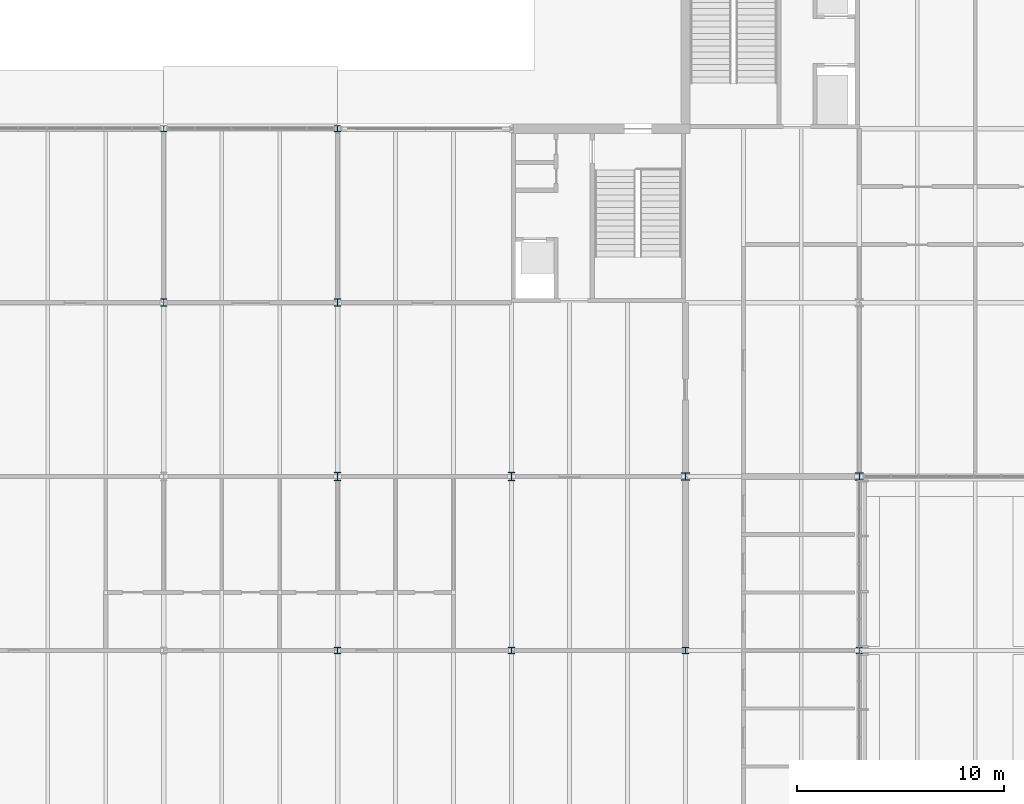
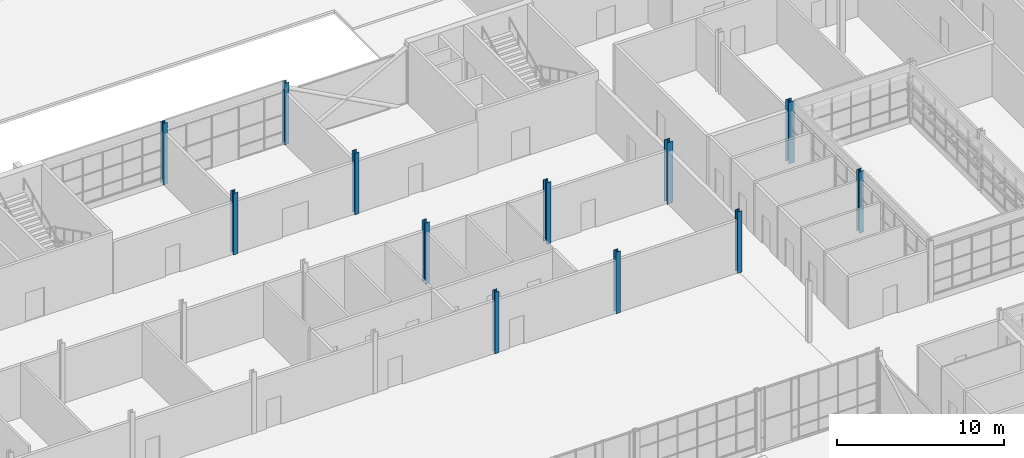
# One storey, part 15 of 116: 12 columns.
"""IFC4 building model written with IfcOpenShell, lengths in metres."""

from ifc_helpers import new_model, si_unit, direction, frame, origin, origin_2d, place, context, subcontext, project, spatial, i_section, extrude, material, material_profile, profile_set, type_object, element, save


model = new_model("IFC4")

# Units and contexts
model_context = context("Model", 3, precision=1e-05, world=origin(), true_north=direction((0.0, 1.0)))
body_context = subcontext(model_context, "Body", "Model", "MODEL_VIEW")
ifc_project = project(units=[si_unit("LENGTHUNIT", "METRE"), si_unit("AREAUNIT", "SQUARE_METRE"), si_unit("VOLUMEUNIT", "CUBIC_METRE"), si_unit("PLANEANGLEUNIT", "RADIAN"), si_unit("MASSUNIT", "GRAM", prefix="KILO")], contexts=[model_context])

# Site, building, storey
site_placement = place(None, origin())
site = spatial("IfcSite", under=ifc_project, at=site_placement, CompositionType="ELEMENT")
building_placement = place(site_placement, origin())
building = spatial("IfcBuilding", under=site, at=building_placement, Name="Ardhachandra Cancer Care Centre", CompositionType="ELEMENT")
storey_placement = place(building_placement, origin())
storey = spatial("IfcBuildingStorey", under=building, at=storey_placement, Name="L00", CompositionType="ELEMENT", Elevation=0.0)

# Columns
ifc_material_1 = material(Name="Steel E350 (IS 2062)", Category="steel")
ifc_material_profile_1 = material_profile(ifc_material_1, i_section(OverallWidth=0.300048828125, OverallDepth=0.300048828125, WebThickness=0.010986328125, FlangeThickness=0.01904296875, FilletRadius=0.027099609375, at=origin_2d()), Name="WPB 300x300x117.03")
ifc_profile_set_1 = profile_set([ifc_material_profile_1], Name="Steel E350 (IS 2062)")
column_type_1 = type_object("IfcColumnType", Name="Column WPB 300x300x117.03", PredefinedType="COLUMN", material=ifc_profile_set_1)
for number, where, z_axis, x_axis, name in (
    (1, (94.800048828125, 71.39990234375, 0.0), (0.0, 0.0, 1.0), (1.0, 0.0, 0.0), "Column H11 L00"),
    (2, (103.199951171875, 71.39990234375, 0.0), (0.0, 0.0, 1.0), (1.0, 0.0, 0.0), "Column H12 L00"),
    (3, (111.60009765625, 71.39990234375, 0.0), (0.0, 0.0, 1.0), (1.0, 0.0, 0.0), "Column H13 L00"),
    (4, (120.0, 71.39990234375, 0.0), (0.0, 0.0, 1.0), (1.0, 0.0, 0.0), "Column H14 L00"),
    (5, (86.39990234375, 96.60009765625, 0.0), (0.0, 0.0, 1.0), (1.0, 0.0, 0.0), "Column L10 L00"),
    (6, (94.800048828125, 96.60009765625, 0.0), (0.0, 0.0, 1.0), (1.0, 0.0, 0.0), "Column L11 L00"),
):
    element("IfcColumn", number, at=place(storey_placement, frame(where, z_axis=z_axis, x_axis=x_axis)), inside=storey, type_object=column_type_1, Name=name, PredefinedType="COLUMN", context=body_context, shape_type="SweptSolid", body=[
        extrude(i_section(OverallWidth=0.300048828125, OverallDepth=0.300048828125, WebThickness=0.010986328125, FlangeThickness=0.01904296875, FilletRadius=0.027099609375, at=origin_2d()), origin(), (0.0, 0.0, 1.0), 4.5),
    ])
ifc_material_2 = material(Name="Steel E350 (IS 2062)", Category="steel")
ifc_material_profile_2 = material_profile(ifc_material_2, i_section(OverallWidth=0.300048828125, OverallDepth=0.360107421875, WebThickness=0.012451171875, FlangeThickness=0.0224609375, FilletRadius=0.027099609375, at=origin_2d()), Name="WPB 360x300x141.80")
ifc_profile_set_2 = profile_set([ifc_material_profile_2], Name="Steel E350 (IS 2062)")
column_type_2 = type_object("IfcColumnType", Name="Column WPB 360x300x141.80", PredefinedType="COLUMN", material=ifc_profile_set_2)
for number, where, z_axis, x_axis, name in (
    (7, (86.39990234375, 88.199951171875, 0.0), (0.0, 0.0, 1.0), (1.0, 0.0, 0.0), "Column K10 L00"),
    (8, (94.800048828125, 88.199951171875, 0.0), (0.0, 0.0, 1.0), (1.0, 0.0, 0.0), "Column K11 L00"),
):
    element("IfcColumn", number, at=place(storey_placement, frame(where, z_axis=z_axis, x_axis=x_axis)), inside=storey, type_object=column_type_2, Name=name, PredefinedType="COLUMN", context=body_context, shape_type="SweptSolid", body=[
        extrude(i_section(OverallWidth=0.300048828125, OverallDepth=0.360107421875, WebThickness=0.012451171875, FlangeThickness=0.0224609375, FilletRadius=0.027099609375, at=origin_2d()), origin(), (0.0, 0.0, 1.0), 4.5),
    ])
ifc_material_3 = material(Name="Steel E350 (IS 2062)", Category="steel")
ifc_material_profile_3 = material_profile(ifc_material_3, i_section(OverallWidth=0.300048828125, OverallDepth=0.39990234375, WebThickness=0.013427734375, FlangeThickness=0.02392578125, FilletRadius=0.027099609375, at=origin_2d()), Name="WPB 400x300x155.26")
ifc_profile_set_3 = profile_set([ifc_material_profile_3], Name="Steel E350 (IS 2062)")
column_type_3 = type_object("IfcColumnType", Name="Column WPB 400x300x155.26", PredefinedType="COLUMN", material=ifc_profile_set_3)
for number, where, z_axis, x_axis, name in (
    (9, (94.800048828125, 79.800048828125, 0.0), (0.0, 0.0, 1.0), (1.0, 0.0, 0.0), "Column J11 L00"),
    (10, (103.199951171875, 79.800048828125, 0.0), (0.0, 0.0, 1.0), (1.0, 0.0, 0.0), "Column J12 L00"),
):
    element("IfcColumn", number, at=place(storey_placement, frame(where, z_axis=z_axis, x_axis=x_axis)), inside=storey, type_object=column_type_3, Name=name, PredefinedType="COLUMN", context=body_context, shape_type="SweptSolid", body=[
        extrude(i_section(OverallWidth=0.300048828125, OverallDepth=0.39990234375, WebThickness=0.013427734375, FlangeThickness=0.02392578125, FilletRadius=0.027099609375, at=origin_2d()), origin(), (0.0, 0.0, 1.0), 4.5),
    ])
ifc_material_4 = material(Name="Steel E350 (IS 2062)", Category="steel")
ifc_material_profile_4 = material_profile(ifc_material_4, i_section(OverallWidth=0.39501953125, OverallDepth=0.3798828125, WebThickness=0.018798828125, FlangeThickness=0.0302734375, FilletRadius=0.027099609375, at=origin_2d()), Name="WPB 400x400x239.62")
ifc_profile_set_4 = profile_set([ifc_material_profile_4], Name="Steel E350 (IS 2062)")
column_type_4 = type_object("IfcColumnType", Name="Column WPB 400x400x239.62", PredefinedType="COLUMN", material=ifc_profile_set_4)
for number, where, z_axis, x_axis, name in (
    (11, (111.60009765625, 79.800048828125, 0.0), (0.0, 0.0, 1.0), (1.0, 0.0, 0.0), "Column J13 L00"),
    (12, (120.0, 79.800048828125, 0.0), (0.0, 0.0, 1.0), (1.0, 0.0, 0.0), "Column J14 L00"),
):
    element("IfcColumn", number, at=place(storey_placement, frame(where, z_axis=z_axis, x_axis=x_axis)), inside=storey, type_object=column_type_4, Name=name, PredefinedType="COLUMN", context=body_context, shape_type="SweptSolid", body=[
        extrude(i_section(OverallWidth=0.39501953125, OverallDepth=0.3798828125, WebThickness=0.018798828125, FlangeThickness=0.0302734375, FilletRadius=0.027099609375, at=origin_2d()), origin(), (0.0, 0.0, 1.0), 4.5),
    ])

save(model, "model.ifc")
